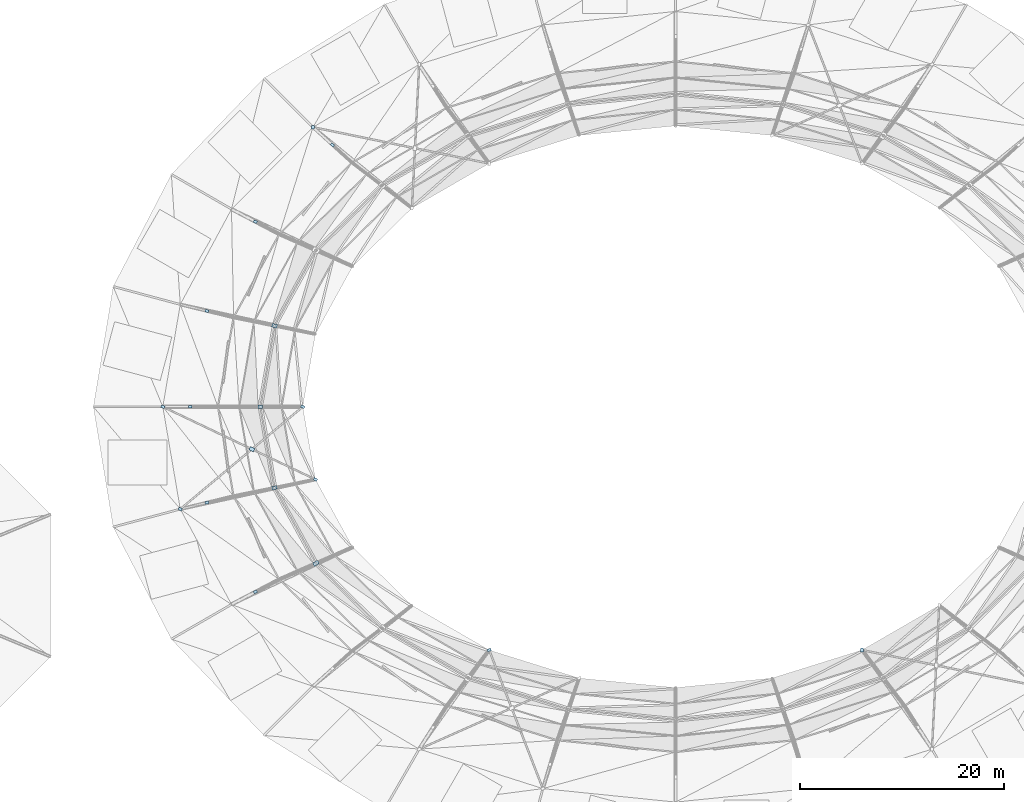
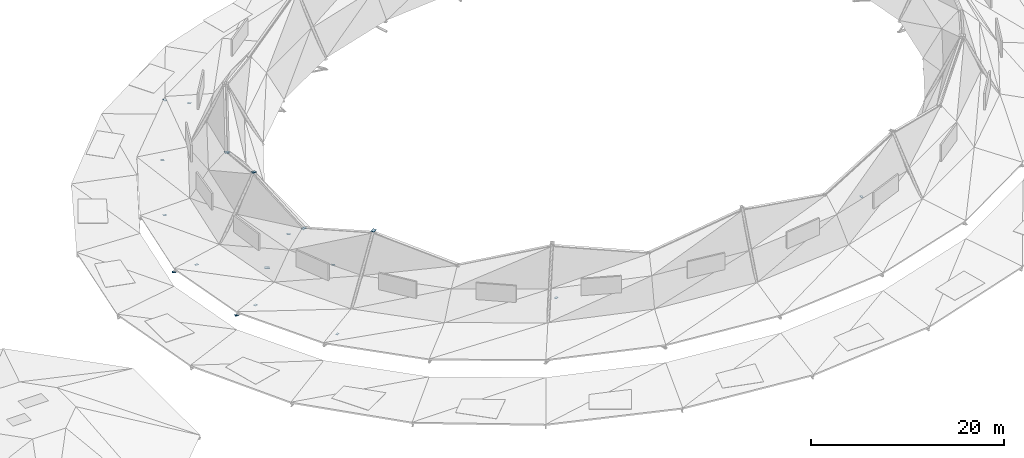
# One storey, part 33 of 36: 18 plates.
"""IFC4 building model written with IfcOpenShell, lengths in metres."""

from ifc_helpers import new_model, si_unit, direction, frame, origin, origin_2d, place, context, subcontext, project, spatial, rectangle, extrude, material, layer, layer_set, type_object, element, save


model = new_model("IFC4")

# Units and contexts
model_context = context("Model", 3, precision=1e-05, world=origin(), true_north=direction((0.0, 1.0)))
body_context = subcontext(model_context, "Body", "Model", "MODEL_VIEW")
ifc_project = project(units=[si_unit("LENGTHUNIT", "METRE"), si_unit("AREAUNIT", "SQUARE_METRE"), si_unit("VOLUMEUNIT", "CUBIC_METRE"), si_unit("PLANEANGLEUNIT", "RADIAN"), si_unit("MASSUNIT", "GRAM", prefix="KILO")], contexts=[model_context])

# Site, building, storey
site_placement = place(None, origin())
site = spatial("IfcSite", under=ifc_project, at=site_placement, CompositionType="ELEMENT")
building_placement = place(site_placement, origin())
building = spatial("IfcBuilding", under=site, at=building_placement, Name="Kildeholm Park Wholesale Market", CompositionType="ELEMENT")
storey_placement = place(building_placement, frame((0.0, 0.0, 17.39990234375)))
storey = spatial("IfcBuildingStorey", under=building, at=storey_placement, Name="Roof", CompositionType="ELEMENT", Elevation=17.39990234375)

# Plates
ifc_material = material(Name="Steel S355", Category="steel")
ifc_layer_1 = layer(ifc_material, 0.02001953125)
ifc_layer_set_1 = layer_set([ifc_layer_1], Name="Steel S355")
plate_type_1 = type_object("IfcPlateType", Name="Steel connection plate EP-01 360x260x20", PredefinedType="SHEET", material=ifc_layer_set_1)
for number, where, z_axis, x_axis, name in (
    (1, (63.5029296875, 116.864990234375, -4.639892578125), (0.0, 0.0, 1.0), (-0.05024431818, -0.998736956606, 0.0), "Brace end connection plate BR-V1-RF-08-3 PLT-0047"),
    (2, (65.412109375, 115.132080078125, -4.639892578125), (0.0, 0.0, 1.0), (0.740804596287, -0.671720589323, 0.0), "Truss diagonal end plate V1-09-WB1 PLT-0052"),
    (3, (57.864013671875, 107.625, -4.639892578125), (0.0, 0.0, 1.0), (0.88579893978, -0.464069217127, 0.0), "Truss diagonal end plate V1-10-WB1 PLT-0056"),
    (4, (53.118896484375, 98.882080078125, -4.639892578125), (0.0, 0.0, 1.0), (0.971714227441, -0.236159819165, 0.0), "Truss diagonal end plate V1-11-WB1 PLT-0060"),
    (5, (51.5, 89.5, -4.639892578125), (0.0, 0.0, 1.0), (1.0, 0.0, 0.0), "Truss diagonal end plate V1-12-WB1 PLT-0064"),
    (6, (48.800048828125, 89.5, -4.639892578125), (0.0, 0.0, 1.0), (0.902810575698, -0.430038445267, 0.0), "Brace end connection plate BR-V1-RF-12-1 PLT-0066"),
    (7, (63.743896484375, 82.382080078125, -4.639892578125), (0.0, 0.0, 1.0), (0.902810575698, -0.430038445267, 0.0), "Brace end connection plate BR-V1-RF-12-2 PLT-0067"),
    (8, (50.510986328125, 79.48388671875, -4.639892578125), (0.0, 0.0, 1.0), (0.902810575698, -0.430038445267, 0.0), "Brace end connection plate BR-V1-RF-12-3 PLT-0068"),
    (9, (62.5, 89.5, -4.639892578125), (0.0, 0.0, 1.0), (0.902810575698, -0.430038445267, 0.0), "Brace end connection plate BR-V1-RF-12-4 PLT-0069"),
    (10, (53.118896484375, 80.117919921875, -4.639892578125), (0.0, 0.0, 1.0), (0.971714227441, 0.236159819165, 0.0), "Truss diagonal end plate V1-13-WB1 PLT-0073"),
    (11, (57.864013671875, 71.375, -4.639892578125), (0.0, 0.0, 1.0), (0.88579893978, 0.464069217127, 0.0), "Truss diagonal end plate V1-14-WB1 PLT-0077"),
    (12, (80.75, 65.68408203125, -4.639892578125), (0.0, 0.0, 1.0), (0.913900054426, 0.405939269498, 0.0), "Brace end connection plate BR-V1-RF-16-4 PLT-0090"),
    (13, (117.25, 65.68408203125, -4.639892578125), (0.0, 0.0, 1.0), (0.05024431818, 0.998736956606, 0.0), "Brace end connection plate BR-V1-RF-20-4 PLT-0111"),
):
    element("IfcPlate", number, at=place(storey_placement, frame(where, z_axis=z_axis, x_axis=x_axis)), inside=storey, type_object=plate_type_1, Name=name, PredefinedType="SHEET", context=body_context, shape_type="SweptSolid", body=[
        extrude(rectangle(XDim=0.360107421875, YDim=0.260009765625, at=origin_2d()), origin(), (0.0, 0.0, 1.0), 0.02001953125),
    ])
ifc_layer_2 = layer(ifc_material, 0.02392578125)
ifc_layer_set_2 = layer_set([ifc_layer_2], Name="Steel S355")
plate_type_2 = type_object("IfcPlateType", Name="Steel connection plate GP-01 420x300x24", PredefinedType="SHEET", material=ifc_layer_set_2)
plate_1_placement = place(storey_placement, frame((58.35009765625, 89.5, 4.648193359375), z_axis=(0.0, 0.0, 1.0), x_axis=(-1.0, 0.0, 0.0)))
element("IfcPlate", 14, at=plate_1_placement, inside=storey, type_object=plate_type_2, Name="Arch crown gusset plate TR-13 PLT-0072", PredefinedType="SHEET", context=body_context, shape_type="SweptSolid", body=[
    extrude(rectangle(XDim=0.419921875, YDim=0.300048828125, at=origin_2d()), origin(), (0.0, 0.0, 1.0), 0.02392578125),
])
ifc_layer_3 = layer(ifc_material, 0.02587890625)
ifc_layer_set_3 = layer_set([ifc_layer_3], Name="Steel S355")
plate_type_3 = type_object("IfcPlateType", Name="Steel connection plate GP-02 480x340x26", PredefinedType="SHEET", material=ifc_layer_set_3)
for number, where, z_axis, x_axis, name in (
    (15, (57.525390625, 85.343994140625, -4.642822265625), (0.0, 0.0, 1.0), (0.902810575698, -0.430038445267, 0.0), "X-brace crossing gusset plate BR-V1-RF-12 PLT-0065"),
    (16, (59.736083984375, 81.56689453125, 1.84716796875), (0.0, 0.0, 1.0), (-0.965925826289, -0.258819045103, 0.0), "Arch crown gusset plate TR-14 PLT-0076"),
):
    element("IfcPlate", number, at=place(storey_placement, frame(where, z_axis=z_axis, x_axis=x_axis)), inside=storey, type_object=plate_type_3, Name=name, PredefinedType="SHEET", context=body_context, shape_type="SweptSolid", body=[
        extrude(rectangle(XDim=0.47998046875, YDim=0.340087890625, at=origin_2d()), origin(), (0.0, 0.0, 1.0), 0.02587890625),
    ])
ifc_layer_4 = layer(ifc_material, 0.031982421875)
ifc_layer_set_4 = layer_set([ifc_layer_4], Name="Steel S355")
plate_type_4 = type_object("IfcPlateType", Name="Steel connection plate GP-03 540x380x32", PredefinedType="SHEET", material=ifc_layer_set_4)
plate_2_placement = place(storey_placement, frame((63.7958984375, 74.175048828125, 4.64404296875), z_axis=(0.0, 0.0, 1.0), x_axis=(-0.866025403784, -0.5, 0.0)))
element("IfcPlate", 17, at=plate_2_placement, inside=storey, type_object=plate_type_4, Name="Arch crown gusset plate TR-15 PLT-0080", PredefinedType="SHEET", context=body_context, shape_type="SweptSolid", body=[
    extrude(rectangle(XDim=0.5400390625, YDim=0.3798828125, at=origin_2d()), origin(), (0.0, 0.0, 1.0), 0.031982421875),
])
ifc_layer_5 = layer(ifc_material, 0.028076171875)
ifc_layer_set_5 = layer_set([ifc_layer_5], Name="Steel S355")
plate_type_5 = type_object("IfcPlateType", Name="Steel connection plate GP-06 500x360x28", PredefinedType="SHEET", material=ifc_layer_set_5)
plate_3_placement = place(storey_placement, frame((59.736083984375, 97.43310546875, 1.84619140625), z_axis=(0.0, 0.0, 1.0), x_axis=(-0.965925826289, 0.258819045103, 0.0)))
element("IfcPlate", 18, at=plate_3_placement, inside=storey, type_object=plate_type_5, Name="Arch crown gusset plate TR-12 PLT-0063", PredefinedType="SHEET", context=body_context, shape_type="SweptSolid", body=[
    extrude(rectangle(XDim=0.5, YDim=0.360107421875, at=origin_2d()), origin(), (0.0, 0.0, 1.0), 0.028076171875),
])

save(model, "model.ifc")
